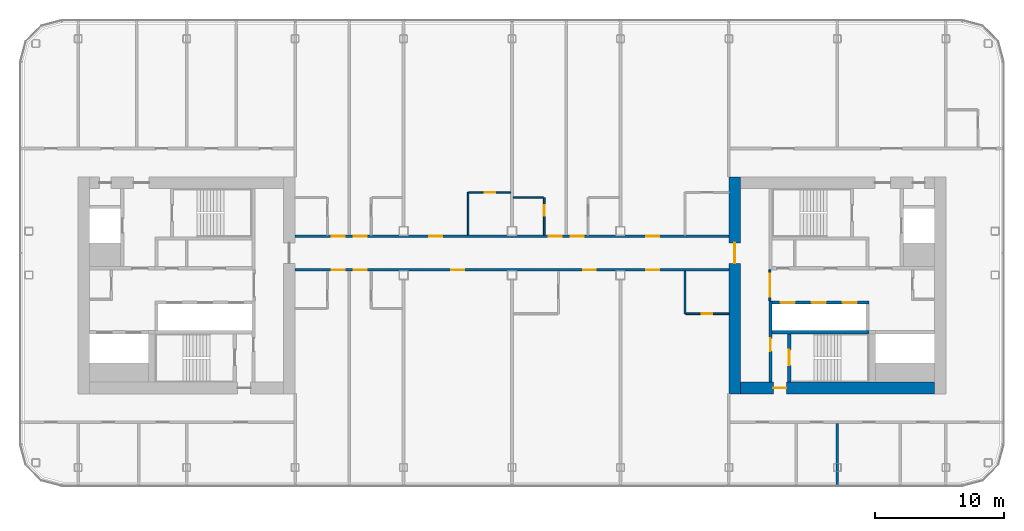
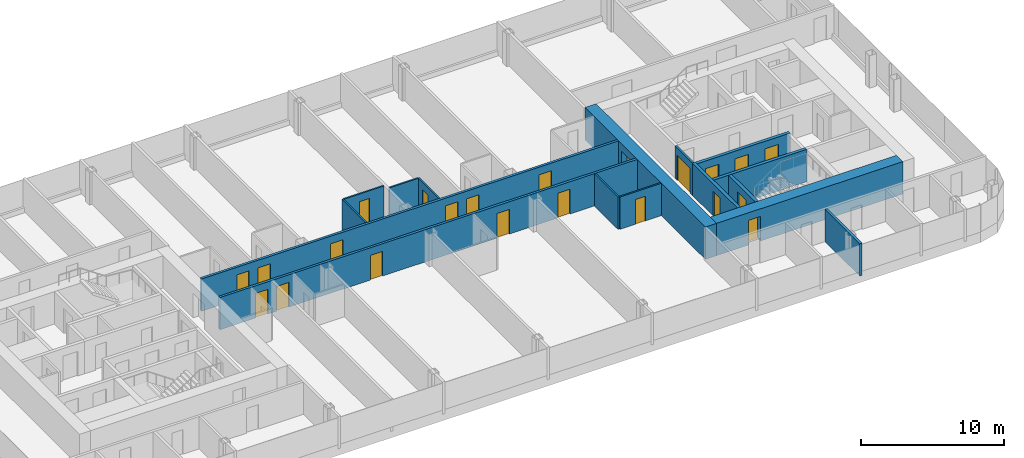
# One storey, part 15 of 26: 22 doors, 16 walls, 22 openings.
"""IFC4 building model written with IfcOpenShell, lengths in metres."""

from ifc_helpers import new_model, si_unit, direction, frame, frame_2d, origin, place, context, subcontext, project, spatial, rectangle, extrude, material, layer, layer_set, type_object, element, fill, save


model = new_model("IFC4")

# Units and contexts
model_context = context("Model", 3, precision=1e-05, world=origin(), true_north=direction((0.0, 1.0)))
body_context = subcontext(model_context, "Body", "Model", "MODEL_VIEW")
ifc_project = project(units=[si_unit("LENGTHUNIT", "METRE"), si_unit("AREAUNIT", "SQUARE_METRE"), si_unit("VOLUMEUNIT", "CUBIC_METRE"), si_unit("PLANEANGLEUNIT", "RADIAN"), si_unit("MASSUNIT", "GRAM", prefix="KILO")], contexts=[model_context])

# Site, building, storey
site_placement = place(None, origin())
site = spatial("IfcSite", under=ifc_project, at=site_placement, CompositionType="ELEMENT")
building_placement = place(site_placement, origin())
building = spatial("IfcBuilding", under=site, at=building_placement, Name="Hakoniwa Tower and Hamabe Station Hall", CompositionType="ELEMENT")
storey_placement = place(building_placement, frame((0.0, 0.0, 212.199951171875)))
storey = spatial("IfcBuildingStorey", under=building, at=storey_placement, Name="L60", CompositionType="ELEMENT", Elevation=212.199951171875)

# Wall, opening, door
ifc_material_1 = material(Name="Gypsum board partition", Category="gypsum")
ifc_layer_1 = layer(ifc_material_1, 0.125)
ifc_layer_set_1 = layer_set([ifc_layer_1], Name="Bathroom Partition 125")
wall_type_1 = type_object("IfcWallType", Name="Bathroom Partition 125", PredefinedType="PARTITIONING", material=ifc_layer_set_1)
wall_1_placement = place(storey_placement, frame((13.46240234375, -2.199951171875, 0.0), z_axis=(0.0, 0.0, 1.0), x_axis=(1.0, 0.0, 0.0)))
wall_1 = element("IfcWall", 1, at=wall_1_placement, inside=storey, type_object=wall_type_1, Name="GW-L60-004", PredefinedType="PARTITIONING", context=body_context, shape_type="SweptSolid", body=[
    extrude(rectangle(XDim=3.34765625, YDim=0.125, at=frame_2d((1.673828125, 0.0))), origin(), (0.0, 0.0, 1.0), 2.75),
])
opening_1_placement = place(wall_1_placement, frame((1.237548828125, 0.0, 0.0)))
opening_1 = element("IfcOpeningElement", 2, at=opening_1_placement, cuts=wall_1, Name="Opening GD-G4D1-10", PredefinedType="OPENING", context=body_context, shape_type="SweptSolid", body=[
    extrude(rectangle(XDim=0.800048828125, YDim=2.10009765625, at=frame_2d((0.39990234375, 1.050048828125))), frame((0.0, 0.072509765625, 0.0), z_axis=(0.0, -1.0, 0.0), x_axis=(1.0, 0.0, 0.0)), (0.0, 0.0, 1.0), 0.14501953125),
])
ifc_material_2 = material(Name="Timber door leaf", Category="wood")
door_type_1 = type_object("IfcDoorType", Name="Bathroom Door 800", OperationType="SINGLE_SWING_LEFT", PredefinedType="DOOR", material=ifc_material_2)
door_1_placement = place(opening_1_placement, origin())
door_1 = element("IfcDoor", 3, at=door_1_placement, inside=storey, type_object=door_type_1, Name="Door GD-G4D1-10", OperationType="SINGLE_SWING_RIGHT", OverallHeight=2.10009765625, OverallWidth=0.800048828125, PredefinedType="DOOR", context=body_context, shape_type="SweptSolid", body=[
    extrude(rectangle(XDim=0.800048828125, YDim=2.10009765625, at=frame_2d((0.39990234375, 1.050048828125))), frame((0.0, 0.02490234375, 0.0), z_axis=(0.0, -1.0, 0.0), x_axis=(1.0, 0.0, 0.0)), (0.0, 0.0, 1.0), 0.050048828125),
])
fill(opening_1, door_1)

# Wall
wall_2_placement = place(storey_placement, frame((0.10009765625, 6.800048828125, 0.0), z_axis=(0.0, 0.0, 1.0), x_axis=(1.0, 0.0, 0.0)))
element("IfcWall", 4, at=wall_2_placement, inside=storey, type_object=wall_type_1, Name="GW-L60-011", PredefinedType="PARTITIONING", context=body_context, shape_type="SweptSolid", body=[
    extrude(rectangle(XDim=2.33740234375, YDim=0.125, at=frame_2d((1.168701171875, 0.0))), origin(), (0.0, 0.0, 1.0), 2.75),
])

# Wall, opening, door
wall_3_placement = place(storey_placement, frame((-3.33740234375, 7.199951171875, 0.0), z_axis=(0.0, 0.0, 1.0), x_axis=(1.0, 0.0, 0.0)))
wall_3 = element("IfcWall", 5, at=wall_3_placement, inside=storey, type_object=wall_type_1, Name="GW-L60-013", PredefinedType="PARTITIONING", context=body_context, shape_type="SweptSolid", body=[
    extrude(rectangle(XDim=3.2373046875, YDim=0.125, at=frame_2d((1.61865234375, 0.0))), origin(), (0.0, 0.0, 1.0), 2.75),
])
opening_2_placement = place(wall_3_placement, frame((1.237548828125, 0.0, 0.0)))
opening_2 = element("IfcOpeningElement", 6, at=opening_2_placement, cuts=wall_3, Name="Opening GD-G4D1-22", PredefinedType="OPENING", context=body_context, shape_type="SweptSolid", body=[
    extrude(rectangle(XDim=0.800048828125, YDim=2.10009765625, at=frame_2d((0.39990234375, 1.050048828125))), frame((0.0, 0.072509765625, 0.0), z_axis=(0.0, -1.0, 0.0), x_axis=(1.0, 0.0, 0.0)), (0.0, 0.0, 1.0), 0.14501953125),
])
door_2_placement = place(opening_2_placement, origin())
door_2 = element("IfcDoor", 7, at=door_2_placement, inside=storey, type_object=door_type_1, Name="Door GD-G4D1-22", OperationType="SINGLE_SWING_LEFT", OverallHeight=2.10009765625, OverallWidth=0.800048828125, PredefinedType="DOOR", context=body_context, shape_type="SweptSolid", body=[
    extrude(rectangle(XDim=0.800048828125, YDim=2.10009765625, at=frame_2d((0.39990234375, 1.050048828125))), frame((0.0, 0.02490234375, 0.0), z_axis=(0.0, -1.0, 0.0), x_axis=(1.0, 0.0, 0.0)), (0.0, 0.0, 1.0), 0.050048828125),
])
fill(opening_2, door_2)

# Wall
wall_4_placement = place(storey_placement, frame((-3.39990234375, 3.89990234375, 0.0), z_axis=(0.0, 0.0, 1.0), x_axis=(0.0, 1.0, 0.0)))
element("IfcWall", 8, at=wall_4_placement, inside=storey, type_object=wall_type_1, Name="GW-L60-035", PredefinedType="PARTITIONING", context=body_context, shape_type="SweptSolid", body=[
    extrude(rectangle(XDim=3.300048828125, YDim=0.125, at=frame_2d((1.64990234375, 0.0))), origin(), (0.0, 0.0, 1.0), 2.75),
])

# Wall, opening, door
wall_5_placement = place(storey_placement, frame((2.5, 3.89990234375, 0.0), z_axis=(0.0, 0.0, 1.0), x_axis=(0.0, 1.0, 0.0)))
wall_5 = element("IfcWall", 9, at=wall_5_placement, inside=storey, type_object=wall_type_1, Name="GW-L60-038", PredefinedType="PARTITIONING", context=body_context, shape_type="SweptSolid", body=[
    extrude(rectangle(XDim=2.900146484375, YDim=0.125, at=frame_2d((1.4501953125, 0.0))), origin(), (0.0, 0.0, 1.0), 2.75),
])
opening_3_placement = place(wall_5_placement, frame((1.5, 0.0, 0.0)))
opening_3 = element("IfcOpeningElement", 10, at=opening_3_placement, cuts=wall_5, Name="Opening GD-G4D1-36", PredefinedType="OPENING", context=body_context, shape_type="SweptSolid", body=[
    extrude(rectangle(XDim=0.800048828125, YDim=2.10009765625, at=frame_2d((0.39990234375, 1.050048828125))), frame((0.0, 0.072509765625, 0.0), z_axis=(0.0, -1.0, 0.0), x_axis=(1.0, 0.0, 0.0)), (0.0, 0.0, 1.0), 0.14501953125),
])
door_3_placement = place(opening_3_placement, origin())
door_3 = element("IfcDoor", 11, at=door_3_placement, inside=storey, type_object=door_type_1, Name="Door GD-G4D1-36", OperationType="SINGLE_SWING_LEFT", OverallHeight=2.10009765625, OverallWidth=0.800048828125, PredefinedType="DOOR", context=body_context, shape_type="SweptSolid", body=[
    extrude(rectangle(XDim=0.800048828125, YDim=2.10009765625, at=frame_2d((0.39990234375, 1.050048828125))), frame((0.0, 0.02490234375, 0.0), z_axis=(0.0, -1.0, 0.0), x_axis=(1.0, 0.0, 0.0)), (0.0, 0.0, 1.0), 0.050048828125),
])
fill(opening_3, door_3)

# Wall
wall_6_placement = place(storey_placement, frame((13.39990234375, -2.199951171875, 0.0), z_axis=(0.0, 0.0, 1.0), x_axis=(0.0, 1.0, 0.0)))
element("IfcWall", 12, at=wall_6_placement, inside=storey, type_object=wall_type_1, Name="GW-L60-044", PredefinedType="PARTITIONING", context=body_context, shape_type="SweptSolid", body=[
    extrude(rectangle(XDim=3.300048828125, YDim=0.125, at=frame_2d((1.64990234375, 0.0))), origin(), (0.0, 0.0, 1.0), 2.75),
])

# Wall, opening, door
ifc_material_3 = material(Name="Gypsum board partition")
ifc_layer_2 = layer(ifc_material_3, 0.14990234375)
ifc_layer_set_2 = layer_set([ifc_layer_2], Name="CORE PARTITION 150 EI 60")
wall_type_2 = type_object("IfcWallType", Name="CORE PARTITION 150 EI 60", PredefinedType="PARTITIONING", material=ifc_layer_set_2)
wall_7_placement = place(storey_placement, frame((19.97509765625, -1.199951171875, 0.0), z_axis=(0.0, 0.0, 1.0), x_axis=(0.0, 1.0, 0.0)))
wall_7 = element("IfcWall", 13, at=wall_7_placement, inside=storey, type_object=wall_type_2, Name="Core partition PL0 east", PredefinedType="PARTITIONING", context=body_context, shape_type="SweptSolid", body=[
    extrude(rectangle(XDim=2.39990234375, YDim=0.14990234375, at=frame_2d((1.199951171875, 0.0))), origin(), (0.0, 0.0, 1.0), 2.75),
])
opening_4_placement = place(wall_7_placement, frame((0.300048828125, 0.0, 0.0)))
opening_4 = element("IfcOpeningElement", 14, at=opening_4_placement, cuts=wall_7, Name="Opening CD-E-LP0-18", PredefinedType="OPENING", context=body_context, shape_type="SweptSolid", body=[
    extrude(rectangle(XDim=1.800048828125, YDim=2.10009765625, at=frame_2d((0.89990234375, 1.050048828125))), frame((0.0, 0.0849609375, 0.0), z_axis=(0.0, -1.0, 0.0), x_axis=(1.0, 0.0, 0.0)), (0.0, 0.0, 1.0), 0.169921875),
])
ifc_material_4 = material(Name="Steel fire door", Category="steel")
door_type_2 = type_object("IfcDoorType", Name="CORE DOOR 1800 FD60", OperationType="DOUBLE_DOOR_SINGLE_SWING", PredefinedType="DOOR", material=ifc_material_4)
door_4_placement = place(opening_4_placement, origin())
door_4 = element("IfcDoor", 15, at=door_4_placement, inside=storey, type_object=door_type_2, Name="Lift lobby partition door", OperationType="DOUBLE_DOOR_SINGLE_SWING", OverallHeight=2.10009765625, OverallWidth=1.800048828125, PredefinedType="DOOR", context=body_context, shape_type="SweptSolid", body=[
    extrude(rectangle(XDim=1.800048828125, YDim=2.10009765625, at=frame_2d((0.89990234375, 1.050048828125))), frame((0.0, 0.02490234375, 0.0), z_axis=(0.0, -1.0, 0.0), x_axis=(1.0, 0.0, 0.0)), (0.0, 0.0, 1.0), 0.050048828125),
])
fill(opening_4, door_4)

ifc_material_5 = material(Name="Concrete C60", Category="concrete")
ifc_layer_3 = layer(ifc_material_5, 0.89990234375)
ifc_layer_set_3 = layer_set([ifc_layer_3], Name="CORE WALL 900 C60")
wall_type_3 = type_object("IfcWallType", Name="CORE WALL 900 C60", PredefinedType="SHEAR", material=ifc_layer_set_3)
wall_8_placement = place(storey_placement, frame((17.25, -8.39990234375, 0.0), z_axis=(0.0, 0.0, 1.0), x_axis=(0.0, 1.0, 0.0)))
wall_8 = element("IfcWall", 16, at=wall_8_placement, inside=storey, type_object=wall_type_3, Name="Core wall INNER east", PredefinedType="SHEAR", context=body_context, shape_type="SweptSolid", body=[
    extrude(rectangle(XDim=16.7998046875, YDim=0.89990234375, at=frame_2d((8.39990234375, 0.0))), origin(), (0.0, 0.0, 1.0), 2.75),
])
opening_5_placement = place(wall_8_placement, frame((10.10009765625, 0.0, 0.0)))
opening_5 = element("IfcOpeningElement", 17, at=opening_5_placement, cuts=wall_8, Name="Opening CD-E-IN1-16", PredefinedType="OPENING", context=body_context, shape_type="SweptSolid", body=[
    extrude(rectangle(XDim=1.60009765625, YDim=2.10009765625, at=frame_2d((0.800048828125, 1.050048828125))), frame((0.0, 0.4599609375, 0.0), z_axis=(0.0, -1.0, 0.0), x_axis=(1.0, 0.0, 0.0)), (0.0, 0.0, 1.0), 0.919921875),
])
ifc_material_6 = material(Name="Steel fire door", Category="steel")
door_type_3 = type_object("IfcDoorType", Name="CORE DOOR 1600 FD60", OperationType="DOUBLE_DOOR_SINGLE_SWING", PredefinedType="DOOR", material=ifc_material_6)
door_5_placement = place(opening_5_placement, origin())
door_5 = element("IfcDoor", 18, at=door_5_placement, inside=storey, type_object=door_type_3, Name="Lift lobby door", OperationType="DOUBLE_DOOR_SINGLE_SWING", OverallHeight=2.10009765625, OverallWidth=1.60009765625, PredefinedType="DOOR", context=body_context, shape_type="SweptSolid", body=[
    extrude(rectangle(XDim=1.60009765625, YDim=2.10009765625, at=frame_2d((0.800048828125, 1.050048828125))), frame((0.0, 0.02490234375, 0.0), z_axis=(0.0, -1.0, 0.0), x_axis=(1.0, 0.0, 0.0)), (0.0, 0.0, 1.0), 0.050048828125),
])
fill(opening_5, door_5)

wall_9_placement = place(storey_placement, frame((17.699951171875, -7.949951171875, 0.0), z_axis=(0.0, 0.0, 1.0), x_axis=(1.0, 0.0, 0.0)))
wall_9 = element("IfcWall", 19, at=wall_9_placement, inside=storey, type_object=wall_type_3, Name="Core wall SOUTH east", PredefinedType="SHEAR", context=body_context, shape_type="SweptSolid", body=[
    extrude(rectangle(XDim=15.0, YDim=0.89990234375, at=frame_2d((7.5, 0.0))), origin(), (0.0, 0.0, 1.0), 2.75),
])
opening_6_placement = place(wall_9_placement, frame((2.550048828125, 0.0, 0.0)))
opening_6 = element("IfcOpeningElement", 20, at=opening_6_placement, cuts=wall_9, Name="Opening CD-E-FS3-10", PredefinedType="OPENING", context=body_context, shape_type="SweptSolid", body=[
    extrude(rectangle(XDim=1.0, YDim=2.10009765625, at=frame_2d((0.5, 1.050048828125))), frame((0.0, 0.4599609375, 0.0), z_axis=(0.0, -1.0, 0.0), x_axis=(1.0, 0.0, 0.0)), (0.0, 0.0, 1.0), 0.919921875),
])
ifc_material_7 = material(Name="Steel fire door", Category="steel")
door_type_4 = type_object("IfcDoorType", Name="CORE DOOR 1000 FD60", OperationType="NOTDEFINED", PredefinedType="DOOR", material=ifc_material_7)
door_6_placement = place(opening_6_placement, origin())
door_6 = element("IfcDoor", 21, at=door_6_placement, inside=storey, type_object=door_type_4, Name="Stair vestibule door", OperationType="SINGLE_SWING_LEFT", OverallHeight=2.10009765625, OverallWidth=1.0, PredefinedType="DOOR", context=body_context, shape_type="SweptSolid", body=[
    extrude(rectangle(XDim=1.0, YDim=2.10009765625, at=frame_2d((0.5, 1.050048828125))), frame((0.0, 0.02490234375, 0.0), z_axis=(0.0, -1.0, 0.0), x_axis=(1.0, 0.0, 0.0)), (0.0, 0.0, 1.0), 0.050048828125),
])
fill(opening_6, door_6)

ifc_material_8 = material(Name="Concrete C60", Category="concrete")
ifc_layer_4 = layer(ifc_material_8, 0.25)
ifc_layer_set_4 = layer_set([ifc_layer_4], Name="CORE WEB WALL 250 C60")
wall_type_4 = type_object("IfcWallType", Name="CORE WEB WALL 250 C60", PredefinedType="SHEAR", material=ifc_layer_set_4)
wall_10_placement = place(storey_placement, frame((20.02490234375, -7.5, 0.0), z_axis=(0.0, 0.0, 1.0), x_axis=(0.0, 1.0, 0.0)))
wall_10 = element("IfcWall", 22, at=wall_10_placement, inside=storey, type_object=wall_type_4, Name="Core wall W1S east", PredefinedType="SHEAR", context=body_context, shape_type="SweptSolid", body=[
    extrude(rectangle(XDim=6.300048828125, YDim=0.25, at=frame_2d((3.14990234375, 0.0))), origin(), (0.0, 0.0, 1.0), 2.75),
])
opening_7_placement = place(wall_10_placement, frame((2.39990234375, 0.0, 0.0)))
opening_7 = element("IfcOpeningElement", 23, at=opening_7_placement, cuts=wall_10, Name="Opening CD-E-VS-10", PredefinedType="OPENING", context=body_context, shape_type="SweptSolid", body=[
    extrude(rectangle(XDim=1.0, YDim=2.10009765625, at=frame_2d((0.5, 1.050048828125))), frame((0.0, 0.135009765625, 0.0), z_axis=(0.0, -1.0, 0.0), x_axis=(1.0, 0.0, 0.0)), (0.0, 0.0, 1.0), 0.27001953125),
])
door_7_placement = place(opening_7_placement, origin())
door_7 = element("IfcDoor", 24, at=door_7_placement, inside=storey, type_object=door_type_4, Name="Stair vestibule door", OperationType="SINGLE_SWING_RIGHT", OverallHeight=2.10009765625, OverallWidth=1.0, PredefinedType="DOOR", context=body_context, shape_type="SweptSolid", body=[
    extrude(rectangle(XDim=1.0, YDim=2.10009765625, at=frame_2d((0.5, 1.050048828125))), frame((0.0, 0.02490234375, 0.0), z_axis=(0.0, -1.0, 0.0), x_axis=(1.0, 0.0, 0.0)), (0.0, 0.0, 1.0), 0.050048828125),
])
fill(opening_7, door_7)

# Wall, openings, doors
wall_11_placement = place(storey_placement, frame((20.14990234375, -1.324951171875, 0.0), z_axis=(0.0, 0.0, 1.0), x_axis=(1.0, 0.0, 0.0)))
wall_11 = element("IfcWall", 25, at=wall_11_placement, inside=storey, type_object=wall_type_4, Name="Core wall SF east", PredefinedType="SHEAR", context=body_context, shape_type="SweptSolid", body=[
    extrude(rectangle(XDim=7.5, YDim=0.25, at=frame_2d((3.75, 0.0))), origin(), (0.0, 0.0, 1.0), 2.75),
])
opening_8_placement = place(wall_11_placement, frame((0.64990234375, 0.0, 0.0)))
opening_8 = element("IfcOpeningElement", 26, at=opening_8_placement, cuts=wall_11, Name="Opening LD-HR4", PredefinedType="OPENING", context=body_context, shape_type="SweptSolid", body=[
    extrude(rectangle(XDim=1.10009765625, YDim=2.10009765625, at=frame_2d((0.550048828125, 1.050048828125))), frame((0.0, 0.135009765625, 0.0), z_axis=(0.0, -1.0, 0.0), x_axis=(1.0, 0.0, 0.0)), (0.0, 0.0, 1.0), 0.27001953125),
])
opening_9_placement = place(wall_11_placement, frame((3.050048828125, 0.0, 0.0)))
opening_9 = element("IfcOpeningElement", 27, at=opening_9_placement, cuts=wall_11, Name="Opening LD-HR5", PredefinedType="OPENING", context=body_context, shape_type="SweptSolid", body=[
    extrude(rectangle(XDim=1.10009765625, YDim=2.10009765625, at=frame_2d((0.550048828125, 1.050048828125))), frame((0.0, 0.135009765625, 0.0), z_axis=(0.0, -1.0, 0.0), x_axis=(1.0, 0.0, 0.0)), (0.0, 0.0, 1.0), 0.27001953125),
])
opening_10_placement = place(wall_11_placement, frame((5.449951171875, 0.0, 0.0)))
opening_10 = element("IfcOpeningElement", 28, at=opening_10_placement, cuts=wall_11, Name="Opening LD-HR6", PredefinedType="OPENING", context=body_context, shape_type="SweptSolid", body=[
    extrude(rectangle(XDim=1.10009765625, YDim=2.10009765625, at=frame_2d((0.550048828125, 1.050048828125))), frame((0.0, 0.135009765625, 0.0), z_axis=(0.0, -1.0, 0.0), x_axis=(1.0, 0.0, 0.0)), (0.0, 0.0, 1.0), 0.27001953125),
])
ifc_material_9 = material(Name="Stainless steel SUS304", Category="steel")
door_type_5 = type_object("IfcDoorType", Name="LIFT LANDING DOOR 1100 FD60", OperationType="DOUBLE_DOOR_SLIDING", PredefinedType="DOOR", material=ifc_material_9)
door_8_placement = place(opening_8_placement, origin())
door_8 = element("IfcDoor", 29, at=door_8_placement, inside=storey, type_object=door_type_5, Name="Lift landing door HR4 L60", OperationType="DOUBLE_DOOR_SLIDING", OverallHeight=2.10009765625, OverallWidth=1.10009765625, PredefinedType="DOOR", context=body_context, shape_type="SweptSolid", body=[
    extrude(rectangle(XDim=1.10009765625, YDim=2.10009765625, at=frame_2d((0.550048828125, 1.050048828125))), frame((0.0, 0.02490234375, 0.0), z_axis=(0.0, -1.0, 0.0), x_axis=(1.0, 0.0, 0.0)), (0.0, 0.0, 1.0), 0.050048828125),
])
fill(opening_8, door_8)
door_9_placement = place(opening_9_placement, origin())
door_9 = element("IfcDoor", 30, at=door_9_placement, inside=storey, type_object=door_type_5, Name="Lift landing door HR5 L60", OperationType="DOUBLE_DOOR_SLIDING", OverallHeight=2.10009765625, OverallWidth=1.10009765625, PredefinedType="DOOR", context=body_context, shape_type="SweptSolid", body=[
    extrude(rectangle(XDim=1.10009765625, YDim=2.10009765625, at=frame_2d((0.550048828125, 1.050048828125))), frame((0.0, 0.02490234375, 0.0), z_axis=(0.0, -1.0, 0.0), x_axis=(1.0, 0.0, 0.0)), (0.0, 0.0, 1.0), 0.050048828125),
])
fill(opening_9, door_9)
door_10_placement = place(opening_10_placement, origin())
door_10 = element("IfcDoor", 31, at=door_10_placement, inside=storey, type_object=door_type_5, Name="Lift landing door HR6 L60", OperationType="DOUBLE_DOOR_SLIDING", OverallHeight=2.10009765625, OverallWidth=1.10009765625, PredefinedType="DOOR", context=body_context, shape_type="SweptSolid", body=[
    extrude(rectangle(XDim=1.10009765625, YDim=2.10009765625, at=frame_2d((0.550048828125, 1.050048828125))), frame((0.0, 0.02490234375, 0.0), z_axis=(0.0, -1.0, 0.0), x_axis=(1.0, 0.0, 0.0)), (0.0, 0.0, 1.0), 0.050048828125),
])
fill(opening_10, door_10)

# Wall
wall_12_placement = place(storey_placement, frame((20.14990234375, -3.625, 0.0), z_axis=(0.0, 0.0, 1.0), x_axis=(1.0, 0.0, 0.0)))
element("IfcWall", 32, at=wall_12_placement, inside=storey, type_object=wall_type_4, Name="Core wall SR east", PredefinedType="SHEAR", context=body_context, shape_type="SweptSolid", body=[
    extrude(rectangle(XDim=7.5, YDim=0.25, at=frame_2d((3.75, 0.0))), origin(), (0.0, 0.0, 1.0), 2.75),
])

# Wall, opening, door
wall_13_placement = place(storey_placement, frame((21.47509765625, -7.5, 0.0), z_axis=(0.0, 0.0, 1.0), x_axis=(0.0, 1.0, 0.0)))
wall_13 = element("IfcWall", 33, at=wall_13_placement, inside=storey, type_object=wall_type_4, Name="Core wall VE east", PredefinedType="SHEAR", context=body_context, shape_type="SweptSolid", body=[
    extrude(rectangle(XDim=3.75, YDim=0.25, at=frame_2d((1.875, 0.0))), origin(), (0.0, 0.0, 1.0), 2.75),
])
opening_11_placement = place(wall_13_placement, frame((1.300048828125, 0.0, 0.0)))
opening_11 = element("IfcOpeningElement", 34, at=opening_11_placement, cuts=wall_13, Name="Opening CD-E-SS-12", PredefinedType="OPENING", context=body_context, shape_type="SweptSolid", body=[
    extrude(rectangle(XDim=1.199951171875, YDim=2.10009765625, at=frame_2d((0.60009765625, 1.050048828125))), frame((0.0, 0.135009765625, 0.0), z_axis=(0.0, -1.0, 0.0), x_axis=(1.0, 0.0, 0.0)), (0.0, 0.0, 1.0), 0.27001953125),
])
ifc_material_10 = material(Name="Steel fire door", Category="steel")
door_type_6 = type_object("IfcDoorType", Name="CORE DOOR 1200 FD60", OperationType="DOUBLE_DOOR_SINGLE_SWING", PredefinedType="DOOR", material=ifc_material_10)
door_11_placement = place(opening_11_placement, origin())
door_11 = element("IfcDoor", 35, at=door_11_placement, inside=storey, type_object=door_type_6, Name="Escape stair door", OperationType="DOUBLE_DOOR_SINGLE_SWING", OverallHeight=2.10009765625, OverallWidth=1.199951171875, PredefinedType="DOOR", context=body_context, shape_type="SweptSolid", body=[
    extrude(rectangle(XDim=1.199951171875, YDim=2.10009765625, at=frame_2d((0.60009765625, 1.050048828125))), frame((0.0, 0.02490234375, 0.0), z_axis=(0.0, -1.0, 0.0), x_axis=(1.0, 0.0, 0.0)), (0.0, 0.0, 1.0), 0.050048828125),
])
fill(opening_11, door_11)

# Wall, openings, doors
ifc_material_11 = material(Name="Fire-rated gypsum board partition", Category="gypsum")
ifc_layer_5 = layer(ifc_material_11, 0.199951171875)
ifc_layer_set_5 = layer_set([ifc_layer_5], Name="Corridor Wall 200")
wall_type_5 = type_object("IfcWallType", Name="Corridor Wall 200", PredefinedType="PARTITIONING", material=ifc_layer_set_5)
wall_14_placement = place(storey_placement, frame((-16.800048828125, 1.199951171875, 0.0), z_axis=(0.0, 0.0, 1.0), x_axis=(1.0, 0.0, 0.0)))
wall_14 = element("IfcWall", 36, at=wall_14_placement, inside=storey, type_object=wall_type_5, Name="GW-L60-007", PredefinedType="PARTITIONING", context=body_context, shape_type="SweptSolid", body=[
    extrude(rectangle(XDim=33.60009765625, YDim=0.199951171875, at=frame_2d((16.800048828125, 0.0))), origin(), (0.0, 0.0, 1.0), 2.75),
])
opening_12_placement = place(wall_14_placement, frame((2.85009765625, 0.0, 0.0)))
opening_12 = element("IfcOpeningElement", 37, at=opening_12_placement, cuts=wall_14, Name="Opening GD-G4D1-11", PredefinedType="OPENING", context=body_context, shape_type="SweptSolid", body=[
    extrude(rectangle(XDim=1.0, YDim=2.10009765625, at=frame_2d((0.5, 1.050048828125))), frame((0.0, 0.10986328125, 0.0), z_axis=(0.0, -1.0, 0.0), x_axis=(1.0, 0.0, 0.0)), (0.0, 0.0, 1.0), 0.219970703125),
])
opening_13_placement = place(wall_14_placement, frame((4.550048828125, 0.0, 0.0)))
opening_13 = element("IfcOpeningElement", 38, at=opening_13_placement, cuts=wall_14, Name="Opening GD-G4D1-12", PredefinedType="OPENING", context=body_context, shape_type="SweptSolid", body=[
    extrude(rectangle(XDim=1.0, YDim=2.10009765625, at=frame_2d((0.5, 1.050048828125))), frame((0.0, 0.10986328125, 0.0), z_axis=(0.0, -1.0, 0.0), x_axis=(1.0, 0.0, 0.0)), (0.0, 0.0, 1.0), 0.219970703125),
])
opening_14_placement = place(wall_14_placement, frame((12.10009765625, 0.0, 0.0)))
opening_14 = element("IfcOpeningElement", 39, at=opening_14_placement, cuts=wall_14, Name="Opening GD-G4D1-13", PredefinedType="OPENING", context=body_context, shape_type="SweptSolid", body=[
    extrude(rectangle(XDim=1.0, YDim=2.10009765625, at=frame_2d((0.5, 1.050048828125))), frame((0.0, 0.10986328125, 0.0), z_axis=(0.0, -1.0, 0.0), x_axis=(1.0, 0.0, 0.0)), (0.0, 0.0, 1.0), 0.219970703125),
])
opening_15_placement = place(wall_14_placement, frame((22.300048828125, 0.0, 0.0)))
opening_15 = element("IfcOpeningElement", 40, at=opening_15_placement, cuts=wall_14, Name="Opening GD-G4D1-14", PredefinedType="OPENING", context=body_context, shape_type="SweptSolid", body=[
    extrude(rectangle(XDim=1.0, YDim=2.10009765625, at=frame_2d((0.5, 1.050048828125))), frame((0.0, 0.10986328125, 0.0), z_axis=(0.0, -1.0, 0.0), x_axis=(1.0, 0.0, 0.0)), (0.0, 0.0, 1.0), 0.219970703125),
])
opening_16_placement = place(wall_14_placement, frame((27.199951171875, 0.0, 0.0)))
opening_16 = element("IfcOpeningElement", 41, at=opening_16_placement, cuts=wall_14, Name="Opening GD-G4D1-15", PredefinedType="OPENING", context=body_context, shape_type="SweptSolid", body=[
    extrude(rectangle(XDim=1.0, YDim=2.10009765625, at=frame_2d((0.5, 1.050048828125))), frame((0.0, 0.10986328125, 0.0), z_axis=(0.0, -1.0, 0.0), x_axis=(1.0, 0.0, 0.0)), (0.0, 0.0, 1.0), 0.219970703125),
])
ifc_material_12 = material(Name="Timber door leaf", Category="wood")
door_type_7 = type_object("IfcDoorType", Name="Accessible Guest Entrance Door 1000", OperationType="SINGLE_SWING_LEFT", PredefinedType="DOOR", material=ifc_material_12)
door_12_placement = place(opening_15_placement, origin())
door_12 = element("IfcDoor", 42, at=door_12_placement, inside=storey, type_object=door_type_7, Name="Door GD-G4D1-14", OperationType="SINGLE_SWING_RIGHT", OverallHeight=2.10009765625, OverallWidth=1.0, PredefinedType="DOOR", context=body_context, shape_type="SweptSolid", body=[
    extrude(rectangle(XDim=1.0, YDim=2.10009765625, at=frame_2d((0.5, 1.050048828125))), frame((0.0, 0.02490234375, 0.0), z_axis=(0.0, -1.0, 0.0), x_axis=(1.0, 0.0, 0.0)), (0.0, 0.0, 1.0), 0.050048828125),
])
fill(opening_15, door_12)
ifc_material_13 = material(Name="Timber door leaf", Category="wood")
door_type_8 = type_object("IfcDoorType", Name="Guest Entrance Door 1000", OperationType="SINGLE_SWING_LEFT", PredefinedType="DOOR", material=ifc_material_13)
door_13_placement = place(opening_12_placement, origin())
door_13 = element("IfcDoor", 43, at=door_13_placement, inside=storey, type_object=door_type_8, Name="Door GD-G4D1-11", OperationType="SINGLE_SWING_LEFT", OverallHeight=2.10009765625, OverallWidth=1.0, PredefinedType="DOOR", context=body_context, shape_type="SweptSolid", body=[
    extrude(rectangle(XDim=1.0, YDim=2.10009765625, at=frame_2d((0.5, 1.050048828125))), frame((0.0, 0.02490234375, 0.0), z_axis=(0.0, -1.0, 0.0), x_axis=(1.0, 0.0, 0.0)), (0.0, 0.0, 1.0), 0.050048828125),
])
fill(opening_12, door_13)
door_14_placement = place(opening_13_placement, origin())
door_14 = element("IfcDoor", 44, at=door_14_placement, inside=storey, type_object=door_type_8, Name="Door GD-G4D1-12", OperationType="SINGLE_SWING_RIGHT", OverallHeight=2.10009765625, OverallWidth=1.0, PredefinedType="DOOR", context=body_context, shape_type="SweptSolid", body=[
    extrude(rectangle(XDim=1.0, YDim=2.10009765625, at=frame_2d((0.5, 1.050048828125))), frame((0.0, 0.02490234375, 0.0), z_axis=(0.0, -1.0, 0.0), x_axis=(1.0, 0.0, 0.0)), (0.0, 0.0, 1.0), 0.050048828125),
])
fill(opening_13, door_14)
door_15_placement = place(opening_14_placement, origin())
door_15 = element("IfcDoor", 45, at=door_15_placement, inside=storey, type_object=door_type_8, Name="Door GD-G4D1-13", OperationType="SINGLE_SWING_LEFT", OverallHeight=2.10009765625, OverallWidth=1.0, PredefinedType="DOOR", context=body_context, shape_type="SweptSolid", body=[
    extrude(rectangle(XDim=1.0, YDim=2.10009765625, at=frame_2d((0.5, 1.050048828125))), frame((0.0, 0.02490234375, 0.0), z_axis=(0.0, -1.0, 0.0), x_axis=(1.0, 0.0, 0.0)), (0.0, 0.0, 1.0), 0.050048828125),
])
fill(opening_14, door_15)
door_16_placement = place(opening_16_placement, origin())
door_16 = element("IfcDoor", 46, at=door_16_placement, inside=storey, type_object=door_type_8, Name="Door GD-G4D1-15", OperationType="SINGLE_SWING_LEFT", OverallHeight=2.10009765625, OverallWidth=1.0, PredefinedType="DOOR", context=body_context, shape_type="SweptSolid", body=[
    extrude(rectangle(XDim=1.0, YDim=2.10009765625, at=frame_2d((0.5, 1.050048828125))), frame((0.0, 0.02490234375, 0.0), z_axis=(0.0, -1.0, 0.0), x_axis=(1.0, 0.0, 0.0)), (0.0, 0.0, 1.0), 0.050048828125),
])
fill(opening_16, door_16)

wall_15_placement = place(storey_placement, frame((-16.800048828125, 3.800048828125, 0.0), z_axis=(0.0, 0.0, 1.0), x_axis=(1.0, 0.0, 0.0)))
wall_15 = element("IfcWall", 47, at=wall_15_placement, inside=storey, type_object=wall_type_5, Name="GW-L60-008", PredefinedType="PARTITIONING", context=body_context, shape_type="SweptSolid", body=[
    extrude(rectangle(XDim=33.60009765625, YDim=0.199951171875, at=frame_2d((16.800048828125, 0.0))), origin(), (0.0, 0.0, 1.0), 2.75),
])
opening_17_placement = place(wall_15_placement, frame((2.85009765625, 0.0, 0.0)))
opening_17 = element("IfcOpeningElement", 48, at=opening_17_placement, cuts=wall_15, Name="Opening GD-G4D1-16", PredefinedType="OPENING", context=body_context, shape_type="SweptSolid", body=[
    extrude(rectangle(XDim=1.0, YDim=2.10009765625, at=frame_2d((0.5, 1.050048828125))), frame((0.0, 0.10986328125, 0.0), z_axis=(0.0, -1.0, 0.0), x_axis=(1.0, 0.0, 0.0)), (0.0, 0.0, 1.0), 0.219970703125),
])
opening_18_placement = place(wall_15_placement, frame((4.550048828125, 0.0, 0.0)))
opening_18 = element("IfcOpeningElement", 49, at=opening_18_placement, cuts=wall_15, Name="Opening GD-G4D1-17", PredefinedType="OPENING", context=body_context, shape_type="SweptSolid", body=[
    extrude(rectangle(XDim=1.0, YDim=2.10009765625, at=frame_2d((0.5, 1.050048828125))), frame((0.0, 0.10986328125, 0.0), z_axis=(0.0, -1.0, 0.0), x_axis=(1.0, 0.0, 0.0)), (0.0, 0.0, 1.0), 0.219970703125),
])
opening_19_placement = place(wall_15_placement, frame((10.39990234375, 0.0, 0.0)))
opening_19 = element("IfcOpeningElement", 50, at=opening_19_placement, cuts=wall_15, Name="Opening GD-G4D1-18", PredefinedType="OPENING", context=body_context, shape_type="SweptSolid", body=[
    extrude(rectangle(XDim=1.0, YDim=2.10009765625, at=frame_2d((0.5, 1.050048828125))), frame((0.0, 0.10986328125, 0.0), z_axis=(0.0, -1.0, 0.0), x_axis=(1.0, 0.0, 0.0)), (0.0, 0.0, 1.0), 0.219970703125),
])
opening_20_placement = place(wall_15_placement, frame((19.64990234375, 0.0, 0.0)))
opening_20 = element("IfcOpeningElement", 51, at=opening_20_placement, cuts=wall_15, Name="Opening GD-G4D1-19", PredefinedType="OPENING", context=body_context, shape_type="SweptSolid", body=[
    extrude(rectangle(XDim=1.0, YDim=2.10009765625, at=frame_2d((0.5, 1.050048828125))), frame((0.0, 0.10986328125, 0.0), z_axis=(0.0, -1.0, 0.0), x_axis=(1.0, 0.0, 0.0)), (0.0, 0.0, 1.0), 0.219970703125),
])
opening_21_placement = place(wall_15_placement, frame((21.35009765625, 0.0, 0.0)))
opening_21 = element("IfcOpeningElement", 52, at=opening_21_placement, cuts=wall_15, Name="Opening GD-G4D1-20", PredefinedType="OPENING", context=body_context, shape_type="SweptSolid", body=[
    extrude(rectangle(XDim=1.0, YDim=2.10009765625, at=frame_2d((0.5, 1.050048828125))), frame((0.0, 0.10986328125, 0.0), z_axis=(0.0, -1.0, 0.0), x_axis=(1.0, 0.0, 0.0)), (0.0, 0.0, 1.0), 0.219970703125),
])
opening_22_placement = place(wall_15_placement, frame((27.199951171875, 0.0, 0.0)))
opening_22 = element("IfcOpeningElement", 53, at=opening_22_placement, cuts=wall_15, Name="Opening GD-G4D1-21", PredefinedType="OPENING", context=body_context, shape_type="SweptSolid", body=[
    extrude(rectangle(XDim=1.0, YDim=2.10009765625, at=frame_2d((0.5, 1.050048828125))), frame((0.0, 0.10986328125, 0.0), z_axis=(0.0, -1.0, 0.0), x_axis=(1.0, 0.0, 0.0)), (0.0, 0.0, 1.0), 0.219970703125),
])
door_17_placement = place(opening_17_placement, origin())
door_17 = element("IfcDoor", 54, at=door_17_placement, inside=storey, type_object=door_type_8, Name="Door GD-G4D1-16", OperationType="SINGLE_SWING_LEFT", OverallHeight=2.10009765625, OverallWidth=1.0, PredefinedType="DOOR", context=body_context, shape_type="SweptSolid", body=[
    extrude(rectangle(XDim=1.0, YDim=2.10009765625, at=frame_2d((0.5, 1.050048828125))), frame((0.0, 0.02490234375, 0.0), z_axis=(0.0, -1.0, 0.0), x_axis=(1.0, 0.0, 0.0)), (0.0, 0.0, 1.0), 0.050048828125),
])
fill(opening_17, door_17)
door_18_placement = place(opening_18_placement, origin())
door_18 = element("IfcDoor", 55, at=door_18_placement, inside=storey, type_object=door_type_8, Name="Door GD-G4D1-17", OperationType="SINGLE_SWING_RIGHT", OverallHeight=2.10009765625, OverallWidth=1.0, PredefinedType="DOOR", context=body_context, shape_type="SweptSolid", body=[
    extrude(rectangle(XDim=1.0, YDim=2.10009765625, at=frame_2d((0.5, 1.050048828125))), frame((0.0, 0.02490234375, 0.0), z_axis=(0.0, -1.0, 0.0), x_axis=(1.0, 0.0, 0.0)), (0.0, 0.0, 1.0), 0.050048828125),
])
fill(opening_18, door_18)
door_19_placement = place(opening_19_placement, origin())
door_19 = element("IfcDoor", 56, at=door_19_placement, inside=storey, type_object=door_type_8, Name="Door GD-G4D1-18", OperationType="SINGLE_SWING_LEFT", OverallHeight=2.10009765625, OverallWidth=1.0, PredefinedType="DOOR", context=body_context, shape_type="SweptSolid", body=[
    extrude(rectangle(XDim=1.0, YDim=2.10009765625, at=frame_2d((0.5, 1.050048828125))), frame((0.0, 0.02490234375, 0.0), z_axis=(0.0, -1.0, 0.0), x_axis=(1.0, 0.0, 0.0)), (0.0, 0.0, 1.0), 0.050048828125),
])
fill(opening_19, door_19)
door_20_placement = place(opening_20_placement, origin())
door_20 = element("IfcDoor", 57, at=door_20_placement, inside=storey, type_object=door_type_8, Name="Door GD-G4D1-19", OperationType="SINGLE_SWING_RIGHT", OverallHeight=2.10009765625, OverallWidth=1.0, PredefinedType="DOOR", context=body_context, shape_type="SweptSolid", body=[
    extrude(rectangle(XDim=1.0, YDim=2.10009765625, at=frame_2d((0.5, 1.050048828125))), frame((0.0, 0.02490234375, 0.0), z_axis=(0.0, -1.0, 0.0), x_axis=(1.0, 0.0, 0.0)), (0.0, 0.0, 1.0), 0.050048828125),
])
fill(opening_20, door_20)
door_21_placement = place(opening_21_placement, origin())
door_21 = element("IfcDoor", 58, at=door_21_placement, inside=storey, type_object=door_type_8, Name="Door GD-G4D1-20", OperationType="SINGLE_SWING_RIGHT", OverallHeight=2.10009765625, OverallWidth=1.0, PredefinedType="DOOR", context=body_context, shape_type="SweptSolid", body=[
    extrude(rectangle(XDim=1.0, YDim=2.10009765625, at=frame_2d((0.5, 1.050048828125))), frame((0.0, 0.02490234375, 0.0), z_axis=(0.0, -1.0, 0.0), x_axis=(1.0, 0.0, 0.0)), (0.0, 0.0, 1.0), 0.050048828125),
])
fill(opening_21, door_21)
door_22_placement = place(opening_22_placement, origin())
door_22 = element("IfcDoor", 59, at=door_22_placement, inside=storey, type_object=door_type_8, Name="Door GD-G4D1-21", OperationType="SINGLE_SWING_LEFT", OverallHeight=2.10009765625, OverallWidth=1.0, PredefinedType="DOOR", context=body_context, shape_type="SweptSolid", body=[
    extrude(rectangle(XDim=1.0, YDim=2.10009765625, at=frame_2d((0.5, 1.050048828125))), frame((0.0, 0.02490234375, 0.0), z_axis=(0.0, -1.0, 0.0), x_axis=(1.0, 0.0, 0.0)), (0.0, 0.0, 1.0), 0.050048828125),
])
fill(opening_22, door_22)

# Wall
ifc_material_14 = material(Name="Fire-rated gypsum board partition", Category="gypsum")
ifc_layer_6 = layer(ifc_material_14, 0.199951171875)
ifc_layer_set_6 = layer_set([ifc_layer_6], Name="Party Wall 200")
wall_type_6 = type_object("IfcWallType", Name="Party Wall 200", PredefinedType="PARTITIONING", material=ifc_layer_set_6)
wall_16_placement = place(storey_placement, frame((25.199951171875, -15.550048828125, 0.0), z_axis=(0.0, 0.0, 1.0), x_axis=(0.0, 1.0, 0.0)))
element("IfcWall", 60, at=wall_16_placement, inside=storey, type_object=wall_type_6, Name="GW-L60-049", PredefinedType="PARTITIONING", context=body_context, shape_type="SweptSolid", body=[
    extrude(rectangle(XDim=4.85009765625, YDim=0.199951171875, at=frame_2d((2.425048828125, 0.0))), origin(), (0.0, 0.0, 1.0), 2.75),
])

save(model, "model.ifc")
